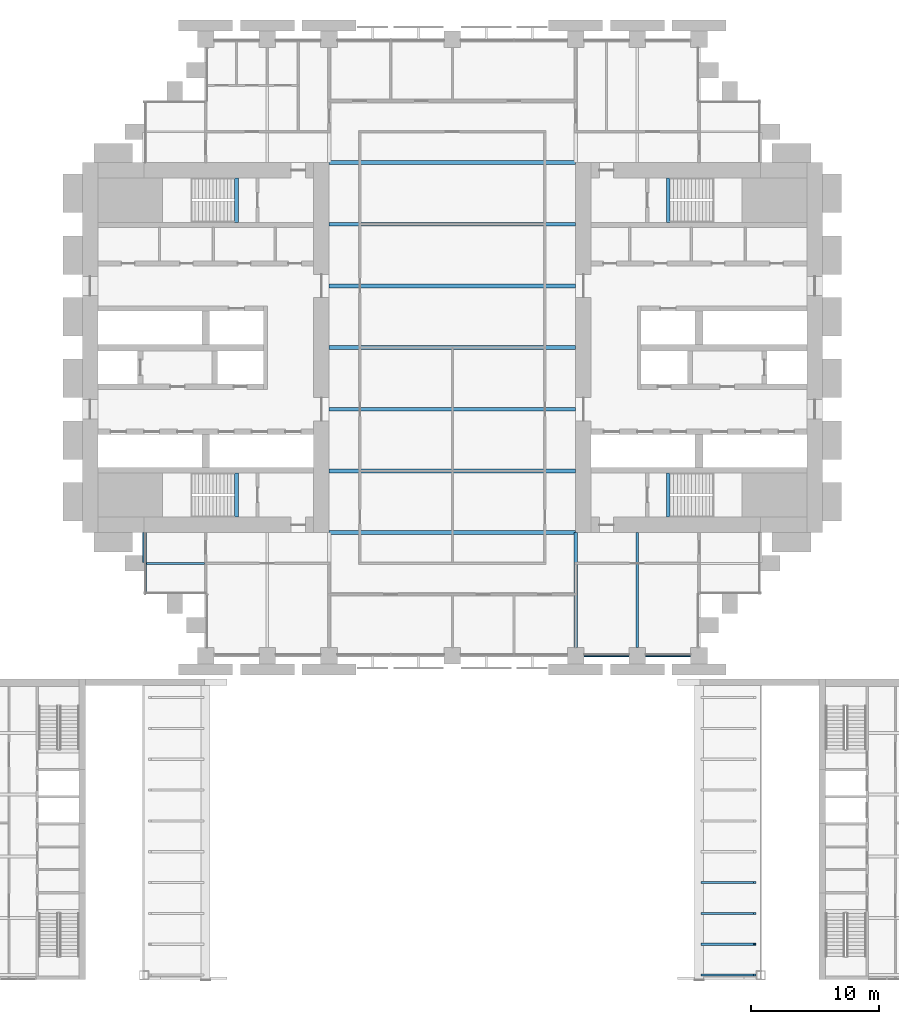
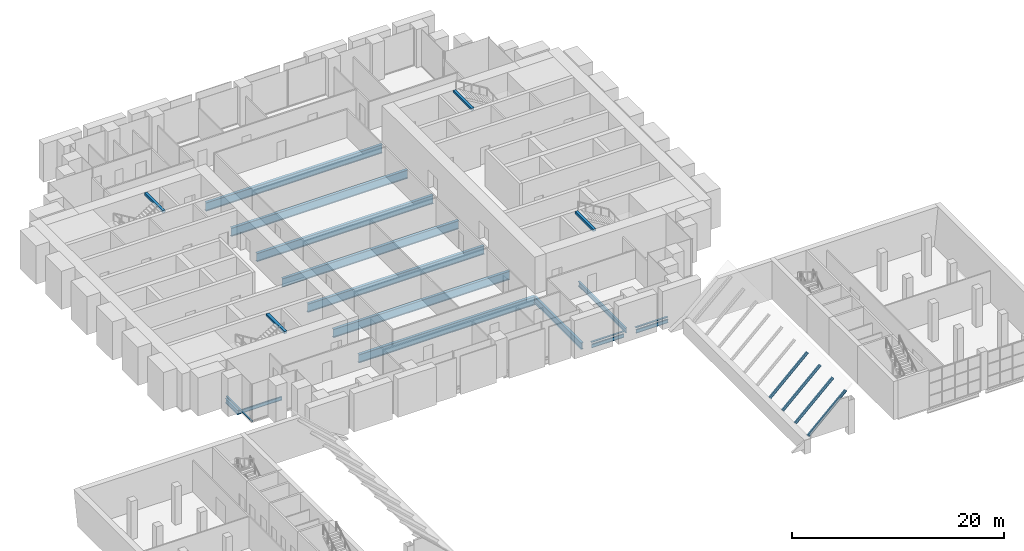
# One storey, part 7 of 30: 21 beams, 3 members, 2 elements without a shape of their own.
"""IFC4 building model written with IfcOpenShell, lengths in metres."""

from ifc_helpers import new_model, si_unit, direction, frame, origin, origin_2d, place, context, subcontext, project, spatial, rectangle, i_section, extrude, material, material_profile, profile_set, type_object, element, aggregate, save


model = new_model("IFC4")

# Units and contexts
model_context = context("Model", 3, precision=1e-05, world=origin(), true_north=direction((0.0, 1.0)))
body_context = subcontext(model_context, "Body", "Model", "MODEL_VIEW")
ifc_project = project(units=[si_unit("LENGTHUNIT", "METRE"), si_unit("AREAUNIT", "SQUARE_METRE"), si_unit("VOLUMEUNIT", "CUBIC_METRE"), si_unit("PLANEANGLEUNIT", "RADIAN"), si_unit("MASSUNIT", "GRAM", prefix="KILO")], contexts=[model_context])

# Site, building, storey
site_placement = place(None, origin())
site = spatial("IfcSite", under=ifc_project, at=site_placement, CompositionType="ELEMENT")
building_placement = place(site_placement, origin())
building = spatial("IfcBuilding", under=site, at=building_placement, Name="Baori Bourse Tower", CompositionType="ELEMENT")
storey_placement = place(building_placement, frame((0.0, 0.0, 17.0)))
storey = spatial("IfcBuildingStorey", under=building, at=storey_placement, Name="L02", CompositionType="ELEMENT", Elevation=17.0)

# Curtain wall, members
ifc_material_1 = material(Name="Pale anodised aluminium", Category="aluminium")
curtain_wall_type_1 = type_object("IfcCurtainWallType", Name="CW1 Curtain wall", PredefinedType="NOTDEFINED", material=ifc_material_1)
curtain_wall_1_placement = place(storey_placement, origin())
curtain_wall_1 = element("IfcCurtainWall", 1, at=curtain_wall_1_placement, inside=storey, type_object=curtain_wall_type_1, Name="Curtain wall CW1 L02 11", PredefinedType="NOTDEFINED")
ifc_material_2 = material(Name="Pale anodised aluminium", Category="aluminium")
ifc_material_profile_1 = material_profile(ifc_material_2, rectangle(XDim=0.199951171875, YDim=0.080078125, at=origin_2d()), Name="Transom 80x200")
ifc_profile_set_1 = profile_set([ifc_material_profile_1], Name="Pale anodised aluminium")
member_type_1 = type_object("IfcMemberType", Name="CW1 Curtain wall transom", PredefinedType="USERDEFINED", material=ifc_profile_set_1)
member_1_placement = place(storey_placement, frame((39.050048828125, 0.10009765625, 0.0400390625), z_axis=(1.0, 0.0, 0.0), x_axis=(0.0, 1.0, 0.0)))
member_1 = element("IfcMember", 2, at=member_1_placement, type_object=member_type_1, Name="Curtain wall CW1 sill rail", ObjectType="TRANSOM", PredefinedType="USERDEFINED", context=body_context, shape_type="SweptSolid", body=[
    extrude(rectangle(XDim=0.199951171875, YDim=0.080078125, at=origin_2d()), origin(), (0.0, 0.0, 1.0), 3.5),
])
member_2_placement = place(storey_placement, frame((43.85009765625, 0.10009765625, 0.0400390625), z_axis=(1.0, 0.0, 0.0), x_axis=(0.0, 1.0, 0.0)))
member_2 = element("IfcMember", 3, at=member_2_placement, type_object=member_type_1, Name="Curtain wall CW1 sill rail", ObjectType="TRANSOM", PredefinedType="USERDEFINED", context=body_context, shape_type="SweptSolid", body=[
    extrude(rectangle(XDim=0.199951171875, YDim=0.080078125, at=origin_2d()), origin(), (0.0, 0.0, 1.0), 3.5),
])
aggregate(curtain_wall_1, [member_1, member_2])

# Curtain wall, member
ifc_material_3 = material(Name="Pale anodised aluminium", Category="aluminium")
curtain_wall_type_2 = type_object("IfcCurtainWallType", Name="CW2 Curtain wall", PredefinedType="NOTDEFINED", material=ifc_material_3)
curtain_wall_2_placement = place(storey_placement, origin())
curtain_wall_2 = element("IfcCurtainWall", 4, at=curtain_wall_2_placement, inside=storey, type_object=curtain_wall_type_2, Name="Curtain wall CW2 L02 8", PredefinedType="NOTDEFINED")
ifc_material_4 = material(Name="Pale anodised aluminium", Category="aluminium")
ifc_material_profile_2 = material_profile(ifc_material_4, rectangle(XDim=0.179931640625, YDim=0.070068359375, at=origin_2d()), Name="Transom 70x180")
ifc_profile_set_2 = profile_set([ifc_material_profile_2], Name="Pale anodised aluminium")
member_type_2 = type_object("IfcMemberType", Name="CW2 Curtain wall transom", PredefinedType="USERDEFINED", material=ifc_profile_set_2)
member_3_placement = place(storey_placement, frame((4.889892578125, 9.60009765625, 0.034912109375), z_axis=(0.0, -1.0, 0.0), x_axis=(1.0, 0.0, 0.0)))
member_3 = element("IfcMember", 5, at=member_3_placement, type_object=member_type_2, Name="Curtain wall CW2 sill rail", ObjectType="TRANSOM", PredefinedType="USERDEFINED", context=body_context, shape_type="SweptSolid", body=[
    extrude(rectangle(XDim=0.179931640625, YDim=0.070068359375, at=origin_2d()), origin(), (0.0, 0.0, 1.0), 4.800048828125),
])
aggregate(curtain_wall_2, [member_3])

# Beams
ifc_material_5 = material(Name="Steel A992 Gr 50", Category="steel")
ifc_material_profile_3 = material_profile(ifc_material_5, i_section(OverallWidth=0.21240234375, OverallDepth=0.54345703125, WebThickness=0.01318359375, FlangeThickness=0.021240234375, at=origin_2d()), Name="W21x83")
ifc_profile_set_3 = profile_set([ifc_material_profile_3], Name="Steel A992 Gr 50")
beam_type_1 = type_object("IfcBeamType", Name="Core bracket W21x83", PredefinedType="BEAM", material=ifc_profile_set_3)
beam_1_placement = place(storey_placement, frame((4.800048828125, 7.270263671875, -0.431884765625), z_axis=(0.0, 1.0, 0.0), x_axis=(-1.0, 0.0, 0.0)))
element("IfcBeam", 6, at=beam_1_placement, inside=storey, type_object=beam_type_1, Name="Core bracket L02", PredefinedType="BEAM", context=body_context, shape_type="SweptSolid", body=[
    extrude(i_section(OverallWidth=0.21240234375, OverallDepth=0.54345703125, WebThickness=0.01318359375, FlangeThickness=0.021240234375, at=origin_2d()), origin(), (0.0, 0.0, 1.0), 2.329833984375),
])
ifc_material_6 = material(Name="Steel A992 Gr 50", Category="steel")
ifc_material_profile_4 = material_profile(ifc_material_6, i_section(OverallWidth=0.140380859375, OverallDepth=0.40380859375, WebThickness=0.007080078125, FlangeThickness=0.01123046875, at=origin_2d()), Name="W16x31")
ifc_profile_set_4 = profile_set([ifc_material_profile_4], Name="Steel A992 Gr 50")
beam_type_2 = type_object("IfcBeamType", Name="Edge beam W16x31", PredefinedType="BEAM", material=ifc_profile_set_4)
for number, where, z_axis, x_axis, name in (
    (7, (39.050048828125, 0.0, -0.36181640625), (1.0, 0.0, 0.0), (0.0, 1.0, 0.0), "Edge beam L02"),
    (8, (43.85009765625, 0.0, -0.36181640625), (1.0, 0.0, 0.0), (0.0, 1.0, 0.0), "Edge beam L02"),
):
    element("IfcBeam", number, at=place(storey_placement, frame(where, z_axis=z_axis, x_axis=x_axis)), inside=storey, type_object=beam_type_2, Name=name, PredefinedType="BEAM", context=body_context, shape_type="SweptSolid", body=[
        extrude(i_section(OverallWidth=0.140380859375, OverallDepth=0.40380859375, WebThickness=0.007080078125, FlangeThickness=0.01123046875, at=origin_2d()), origin(), (0.0, 0.0, 1.0), 3.5),
    ])
ifc_material_7 = material(Name="Steel A992 Gr 50", Category="steel")
ifc_material_profile_5 = material_profile(ifc_material_7, i_section(OverallWidth=0.209228515625, OverallDepth=0.533447265625, WebThickness=0.01025390625, FlangeThickness=0.015625, at=origin_2d()), Name="W21x62")
ifc_profile_set_5 = profile_set([ifc_material_profile_5], Name="Steel A992 Gr 50")
beam_type_3 = type_object("IfcBeamType", Name="Floor beam W21x62", PredefinedType="BEAM", material=ifc_profile_set_5)
beam_2_placement = place(storey_placement, frame((43.199951171875, 0.64990234375, -0.4267578125), z_axis=(0.0, 1.0, 0.0), x_axis=(-1.0, 0.0, 0.0)))
element("IfcBeam", 9, at=beam_2_placement, inside=storey, type_object=beam_type_3, Name="Floor beam L02", PredefinedType="BEAM", context=body_context, shape_type="SweptSolid", body=[
    extrude(i_section(OverallWidth=0.209228515625, OverallDepth=0.533447265625, WebThickness=0.01025390625, FlangeThickness=0.015625, at=origin_2d()), origin(), (0.0, 0.0, 1.0), 8.9501953125),
])
ifc_material_8 = material(Name="Steel A992 Gr 50", Category="steel")
ifc_material_profile_6 = material_profile(ifc_material_8, i_section(OverallWidth=0.2998046875, OverallDepth=0.97021484375, WebThickness=0.01611328125, FlangeThickness=0.02099609375, at=origin_2d()), Name="W40x149")
ifc_profile_set_6 = profile_set([ifc_material_profile_6], Name="Steel A992 Gr 50")
beam_type_4 = type_object("IfcBeamType", Name="Floor beam W40x149", PredefinedType="BEAM", material=ifc_profile_set_6)
for number, where, z_axis, x_axis, name in (
    (10, (19.199951171875, 9.60009765625, -0.64501953125), (1.0, 0.0, 0.0), (0.0, 1.0, 0.0), "Floor beam L02"),
    (11, (19.199951171875, 14.39990234375, -0.64501953125), (1.0, 0.0, 0.0), (0.0, 1.0, 0.0), "Floor beam L02"),
    (12, (19.199951171875, 19.199951171875, -0.64501953125), (1.0, 0.0, 0.0), (0.0, 1.0, 0.0), "Floor beam L02"),
    (13, (19.199951171875, 24.0, -0.64501953125), (1.0, 0.0, 0.0), (0.0, 1.0, 0.0), "Floor beam L02"),
    (14, (19.199951171875, 28.800048828125, -0.64501953125), (1.0, 0.0, 0.0), (0.0, 1.0, 0.0), "Floor beam L02"),
    (15, (19.199951171875, 33.60009765625, -0.64501953125), (1.0, 0.0, 0.0), (0.0, 1.0, 0.0), "Floor beam L02"),
    (16, (19.199951171875, 38.39990234375, -0.64501953125), (1.0, 0.0, 0.0), (0.0, 1.0, 0.0), "Floor beam L02"),
):
    element("IfcBeam", number, at=place(storey_placement, frame(where, z_axis=z_axis, x_axis=x_axis)), inside=storey, type_object=beam_type_4, Name=name, PredefinedType="BEAM", context=body_context, shape_type="SweptSolid", body=[
        extrude(i_section(OverallWidth=0.2998046875, OverallDepth=0.97021484375, WebThickness=0.01611328125, FlangeThickness=0.02099609375, at=origin_2d()), origin(), (0.0, 0.0, 1.0), 19.199951171875),
    ])
ifc_material_9 = material(Name="Steel A992 Gr 50", Category="steel")
ifc_material_profile_7 = material_profile(ifc_material_9, i_section(OverallWidth=0.2666015625, OverallDepth=0.7568359375, WebThickness=0.013916015625, FlangeThickness=0.019287109375, at=origin_2d()), Name="W30x108")
ifc_profile_set_7 = profile_set([ifc_material_profile_7], Name="Steel A992 Gr 50")
beam_type_5 = type_object("IfcBeamType", Name="Girder W30x108", PredefinedType="BEAM", material=ifc_profile_set_7)
beam_3_placement = place(storey_placement, frame((38.39990234375, 0.64990234375, -0.53857421875), z_axis=(0.0, 1.0, 0.0), x_axis=(-1.0, 0.0, 0.0)))
element("IfcBeam", 17, at=beam_3_placement, inside=storey, type_object=beam_type_5, Name="Girder L02", PredefinedType="BEAM", context=body_context, shape_type="SweptSolid", body=[
    extrude(i_section(OverallWidth=0.2666015625, OverallDepth=0.7568359375, WebThickness=0.013916015625, FlangeThickness=0.019287109375, at=origin_2d()), origin(), (0.0, 0.0, 1.0), 8.9501953125),
])
ifc_material_10 = material(Name="Concrete f'c 50 MPa", Category="concrete")
ifc_material_profile_8 = material_profile(ifc_material_10, rectangle(XDim=0.300048828125, YDim=0.25, at=origin_2d()), Name="RC 300x250")
ifc_profile_set_8 = profile_set([ifc_material_profile_8], Name="Concrete f'c 50 MPa")
beam_type_6 = type_object("IfcBeamType", Name="Stair nib beam RC 300x250", PredefinedType="BEAM", material=ifc_profile_set_8)
for number, where, z_axis, x_axis, name in (
    (18, (12.0, 10.800048828125, 4.114990234375), (0.0, 1.0, 0.0), (-1.0, 0.0, 0.0), "Stair WA nib beam L03"),
    (19, (12.0, 33.75, 4.114990234375), (0.0, 1.0, 0.0), (-1.0, 0.0, 0.0), "Stair WB nib beam L03"),
    (20, (45.60009765625, 10.800048828125, 4.114990234375), (0.0, 1.0, 0.0), (-1.0, 0.0, 0.0), "Stair EA nib beam L03"),
    (21, (45.60009765625, 33.75, 4.114990234375), (0.0, 1.0, 0.0), (-1.0, 0.0, 0.0), "Stair EB nib beam L03"),
):
    element("IfcBeam", number, at=place(storey_placement, frame(where, z_axis=z_axis, x_axis=x_axis)), inside=storey, type_object=beam_type_6, Name=name, PredefinedType="BEAM", context=body_context, shape_type="SweptSolid", body=[
        extrude(rectangle(XDim=0.300048828125, YDim=0.25, at=origin_2d()), origin(), (0.0, 0.0, 1.0), 3.449951171875),
    ])
ifc_material_11 = material(Name="Steel A992 Gr 50", Category="steel")
ifc_material_profile_9 = material_profile(ifc_material_11, i_section(OverallWidth=0.140380859375, OverallDepth=0.40380859375, WebThickness=0.007080078125, FlangeThickness=0.01123046875, at=origin_2d()), Name="W16x31")
ifc_profile_set_9 = profile_set([ifc_material_profile_9], Name="Steel A992 Gr 50")
beam_type_7 = type_object("IfcBeamType", Name="Trimmer beam W16x31", PredefinedType="BEAM", material=ifc_profile_set_9)
beam_4_placement = place(storey_placement, frame((4.800048828125, 7.199951171875, -0.36181640625), z_axis=(1.0, 0.0, 0.0), x_axis=(0.0, 1.0, 0.0)))
element("IfcBeam", 22, at=beam_4_placement, inside=storey, type_object=beam_type_7, Name="Trimmer beam L02", PredefinedType="BEAM", context=body_context, shape_type="SweptSolid", body=[
    extrude(i_section(OverallWidth=0.140380859375, OverallDepth=0.40380859375, WebThickness=0.007080078125, FlangeThickness=0.01123046875, at=origin_2d()), origin(), (0.0, 0.0, 1.0), 4.68603515625),
])
ifc_material_12 = material(Name="Steel A992 Gr 50", Category="steel")
ifc_material_profile_10 = material_profile(ifc_material_12, i_section(OverallWidth=0.164794921875, OverallDepth=0.309814453125, WebThickness=0.005859375, FlangeThickness=0.009765625, at=origin_2d()), Name="W12x26")
ifc_profile_set_10 = profile_set([ifc_material_profile_10], Name="Steel A992 Gr 50")
beam_type_8 = type_object("IfcBeamType", Name="Wing beam W12x26", PredefinedType="BEAM", material=ifc_profile_set_10)
for number, where, z_axis, x_axis, name in (
    (23, (48.244140625, -24.85009765625, 1.158203125), (0.730781719631, 0.0, 0.682611220427), (0.0, 1.0, 0.0), "wing/L02/purlin/011"),
    (24, (48.244140625, -22.449951171875, 1.158203125), (0.730781719631, 0.0, 0.682611220427), (0.0, 1.0, 0.0), "wing/L02/purlin/012"),
    (25, (48.244140625, -20.050048828125, 1.158203125), (0.730781719631, 0.0, 0.682611220427), (0.0, 1.0, 0.0), "wing/L02/purlin/013"),
    (26, (48.244140625, -17.64990234375, 1.158203125), (0.730781719631, 0.0, 0.682611220427), (0.0, 1.0, 0.0), "wing/L02/purlin/014"),
):
    element("IfcBeam", number, at=place(storey_placement, frame(where, z_axis=z_axis, x_axis=x_axis)), inside=storey, type_object=beam_type_8, Name=name, PredefinedType="BEAM", context=body_context, shape_type="SweptSolid", body=[
        extrude(i_section(OverallWidth=0.164794921875, OverallDepth=0.309814453125, WebThickness=0.005859375, FlangeThickness=0.009765625, at=origin_2d()), origin(), (0.0, 0.0, 1.0), 5.610595703125),
    ])

save(model, "model.ifc")
